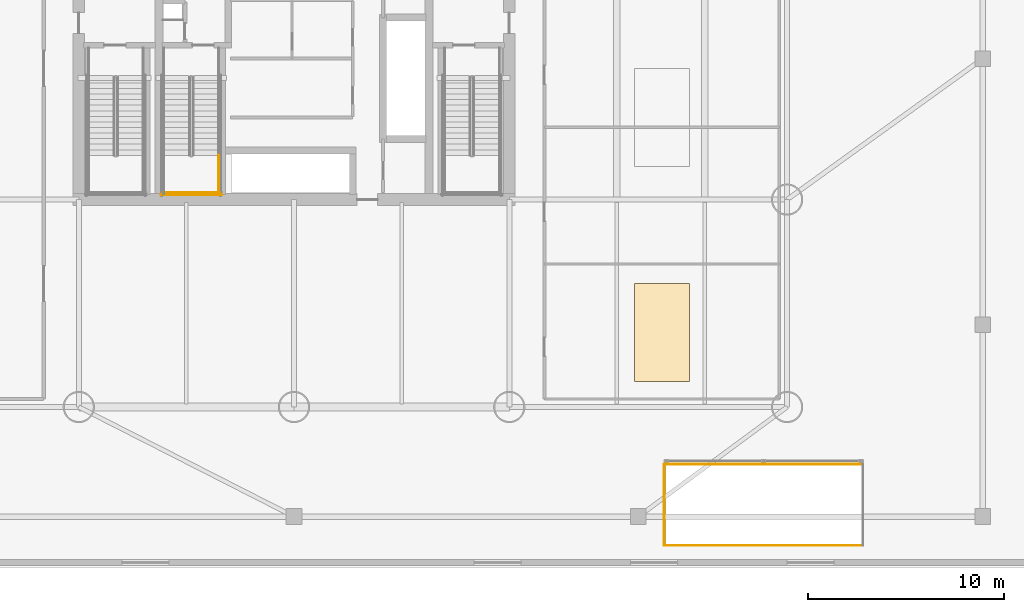
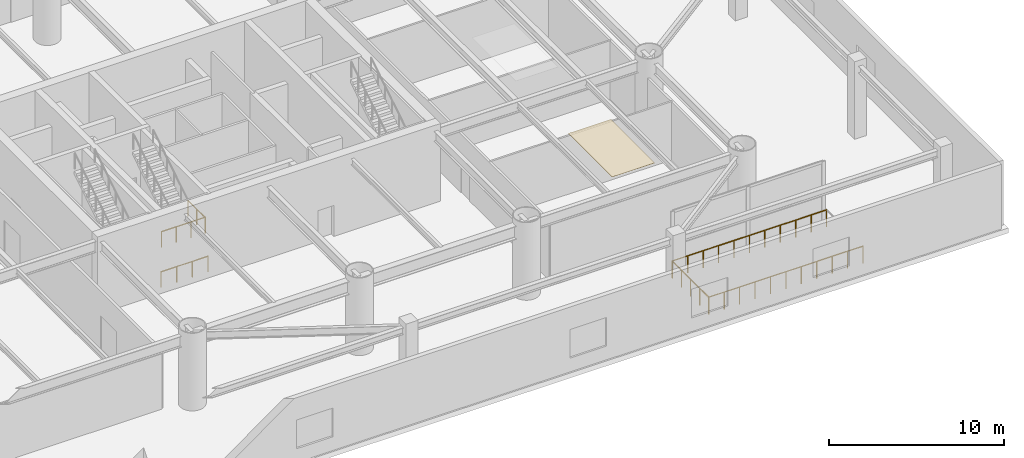
# One storey, part 12 of 16: 6 railings, 1 covering.
"""IFC4 building model written with IfcOpenShell, lengths in metres."""

from ifc_helpers import new_model, si_unit, direction, frame, origin, origin_2d, place, context, subcontext, project, spatial, polyline, circle, outline, extrude, material, layer, layer_set, type_object, element, save


model = new_model("IFC4")

# Units and contexts
model_context = context("Model", 3, precision=1e-05, world=origin(), true_north=direction((0.0, 1.0)))
body_context = subcontext(model_context, "Body", "Model", "MODEL_VIEW")
ifc_project = project(units=[si_unit("LENGTHUNIT", "METRE"), si_unit("AREAUNIT", "SQUARE_METRE"), si_unit("VOLUMEUNIT", "CUBIC_METRE"), si_unit("PLANEANGLEUNIT", "RADIAN"), si_unit("MASSUNIT", "GRAM", prefix="KILO")], contexts=[model_context])

# Site, building, storey
site_placement = place(None, origin())
site = spatial("IfcSite", under=ifc_project, at=site_placement, CompositionType="ELEMENT")
building_placement = place(site_placement, origin())
building = spatial("IfcBuilding", under=site, at=building_placement, Name="Bramvorn Convention Spire", CompositionType="ELEMENT")
storey_placement = place(building_placement, frame((0.0, 0.0, 30.0)))
storey = spatial("IfcBuildingStorey", under=building, at=storey_placement, Name="L05", CompositionType="ELEMENT", Elevation=30.0)

# Covering
ifc_material_1 = material(Name="Micro-Perforated Mineral-Fibre Acoustic Ceiling Tile", Category="gypsum")
ifc_layer = layer(ifc_material_1, 0.02001953125)
ifc_layer_set = layer_set([ifc_layer], Name="Micro-Perforated Mineral-Fibre Acoustic Ceiling Tile - CLG-ACOUSTIC-20")
covering_type = type_object("IfcCoveringType", Name="CLG-ACOUSTIC-20", PredefinedType="CEILING", material=ifc_layer_set)
covering_placement = place(storey_placement, frame((0.0, 0.0, 4.97998046875)))
element("IfcCovering", 1, at=covering_placement, inside=storey, type_object=covering_type, Name="L05 Seminar acoustic tile ceiling 1", PredefinedType="CEILING", context=body_context, shape_type="SweptSolid", body=[
    extrude(outline(polyline([(55.39990234375, 9.5), (58.199951171875, 9.5), (58.199951171875, 14.5), (55.39990234375, 14.5), (55.39990234375, 9.5)])), origin(), (0.0, 0.0, 1.0), 0.02001953125),
])

# Railings
ifc_material_2 = material(Name="Warm Bronze Perforated Metal & Glass Balustrade", Category="glass")
railing_type_1 = type_object("IfcRailingType", Name="RL-POD-BALUSTRADE-1200", PredefinedType="BALUSTRADE", material=ifc_material_2)
railing_1_placement = place(storey_placement, frame((56.919921875, 1.1201171875, 0.0)))
element("IfcRailing", 2, at=railing_1_placement, inside=storey, type_object=railing_type_1, Name="L05 SE void perimeter balustrade side 1", PredefinedType="BALUSTRADE", context=body_context, shape_type="SweptSolid", body=[
    extrude(circle(Radius=0.02392578125, at=origin_2d()), frame((0.0, 0.0, 1.17578125), z_axis=(1.0, 0.0, 0.0), x_axis=(0.0, 1.0, 0.0)), (0.0, 0.0, 1.0), 10.16015625),
    extrude(circle(Radius=0.02099609375, at=origin_2d()), origin(), (0.0, 0.0, 1.0), 1.15185546875),
    extrude(circle(Radius=0.02099609375, at=origin_2d()), frame((1.01611328125, 0.0, 0.0)), (0.0, 0.0, 1.0), 1.15185546875),
    extrude(circle(Radius=0.02099609375, at=origin_2d()), frame((2.031982421875, 0.0, 0.0)), (0.0, 0.0, 1.0), 1.15185546875),
    extrude(circle(Radius=0.02099609375, at=origin_2d()), frame((3.048095703125, 0.0, 0.0)), (0.0, 0.0, 1.0), 1.15185546875),
    extrude(circle(Radius=0.02099609375, at=origin_2d()), frame((4.06396484375, 0.0, 0.0)), (0.0, 0.0, 1.0), 1.15185546875),
    extrude(circle(Radius=0.02099609375, at=origin_2d()), frame((5.080078125, 0.0, 0.0)), (0.0, 0.0, 1.0), 1.15185546875),
    extrude(circle(Radius=0.02099609375, at=origin_2d()), frame((6.09619140625, 0.0, 0.0)), (0.0, 0.0, 1.0), 1.15185546875),
    extrude(circle(Radius=0.02099609375, at=origin_2d()), frame((7.112060546875, 0.0, 0.0)), (0.0, 0.0, 1.0), 1.15185546875),
    extrude(circle(Radius=0.02099609375, at=origin_2d()), frame((8.128173828125, 0.0, 0.0)), (0.0, 0.0, 1.0), 1.15185546875),
    extrude(circle(Radius=0.02099609375, at=origin_2d()), frame((9.14404296875, 0.0, 0.0)), (0.0, 0.0, 1.0), 1.15185546875),
    extrude(circle(Radius=0.02099609375, at=origin_2d()), frame((10.16015625, 0.0, 0.0)), (0.0, 0.0, 1.0), 1.15185546875),
])
railing_2_placement = place(storey_placement, frame((67.080078125, 5.280029296875, 0.0)))
element("IfcRailing", 3, at=railing_2_placement, inside=storey, type_object=railing_type_1, Name="L05 SE void perimeter balustrade side 3", PredefinedType="BALUSTRADE", context=body_context, shape_type="SweptSolid", body=[
    extrude(circle(Radius=0.02392578125, at=origin_2d()), frame((0.0, 0.0, 1.17578125), z_axis=(-1.0, 0.0, 0.0), x_axis=(0.0, -1.0, 0.0)), (0.0, 0.0, 1.0), 10.16015625),
    extrude(circle(Radius=0.02099609375, at=origin_2d()), origin(), (0.0, 0.0, 1.0), 1.15185546875),
    extrude(circle(Radius=0.02099609375, at=origin_2d()), frame((-1.01611328125, 0.0, 0.0)), (0.0, 0.0, 1.0), 1.15185546875),
    extrude(circle(Radius=0.02099609375, at=origin_2d()), frame((-2.031982421875, 0.0, 0.0)), (0.0, 0.0, 1.0), 1.15185546875),
    extrude(circle(Radius=0.02099609375, at=origin_2d()), frame((-3.048095703125, 0.0, 0.0)), (0.0, 0.0, 1.0), 1.15185546875),
    extrude(circle(Radius=0.02099609375, at=origin_2d()), frame((-4.06396484375, 0.0, 0.0)), (0.0, 0.0, 1.0), 1.15185546875),
    extrude(circle(Radius=0.02099609375, at=origin_2d()), frame((-5.080078125, 0.0, 0.0)), (0.0, 0.0, 1.0), 1.15185546875),
    extrude(circle(Radius=0.02099609375, at=origin_2d()), frame((-6.09619140625, 0.0, 0.0)), (0.0, 0.0, 1.0), 1.15185546875),
    extrude(circle(Radius=0.02099609375, at=origin_2d()), frame((-7.112060546875, 0.0, 0.0)), (0.0, 0.0, 1.0), 1.15185546875),
    extrude(circle(Radius=0.02099609375, at=origin_2d()), frame((-8.128173828125, 0.0, 0.0)), (0.0, 0.0, 1.0), 1.15185546875),
    extrude(circle(Radius=0.02099609375, at=origin_2d()), frame((-9.14404296875, 0.0, 0.0)), (0.0, 0.0, 1.0), 1.15185546875),
    extrude(circle(Radius=0.02099609375, at=origin_2d()), frame((-10.16015625, 0.0, 0.0)), (0.0, 0.0, 1.0), 1.15185546875),
])
railing_3_placement = place(storey_placement, frame((56.919921875, 5.280029296875, 0.0)))
element("IfcRailing", 4, at=railing_3_placement, inside=storey, type_object=railing_type_1, Name="L05 SE void perimeter balustrade side 4", PredefinedType="BALUSTRADE", context=body_context, shape_type="SweptSolid", body=[
    extrude(circle(Radius=0.02392578125, at=origin_2d()), frame((0.0, 0.0, 1.17578125), z_axis=(0.0, -1.0, 0.0), x_axis=(1.0, 0.0, 0.0)), (0.0, 0.0, 1.0), 4.159912109375),
    extrude(circle(Radius=0.02099609375, at=origin_2d()), origin(), (0.0, 0.0, 1.0), 1.15185546875),
    extrude(circle(Radius=0.02099609375, at=origin_2d()), frame((0.0, -1.0400390625, 0.0)), (0.0, 0.0, 1.0), 1.15185546875),
    extrude(circle(Radius=0.02099609375, at=origin_2d()), frame((0.0, -2.080078125, 0.0)), (0.0, 0.0, 1.0), 1.15185546875),
    extrude(circle(Radius=0.02099609375, at=origin_2d()), frame((0.0, -3.119873046875, 0.0)), (0.0, 0.0, 1.0), 1.15185546875),
    extrude(circle(Radius=0.02099609375, at=origin_2d()), frame((0.0, -4.159912109375, 0.0)), (0.0, 0.0, 1.0), 1.15185546875),
])
ifc_material_3 = material(Name="Painted Steel Balustrade & Guardrail", Category="steel")
railing_type_2 = type_object("IfcRailingType", Name="RL-STAIR-GUARD-1100", PredefinedType="GUARDRAIL", material=ifc_material_3)
railing_4_placement = place(storey_placement, frame((34.14990234375, 21.06005859375, 2.699951171875)))
element("IfcRailing", 5, at=railing_4_placement, inside=storey, type_object=railing_type_2, Name="L05 ST3 stair guard 4", PredefinedType="GUARDRAIL", context=body_context, shape_type="SweptSolid", body=[
    extrude(circle(Radius=0.02392578125, at=origin_2d()), frame((0.0, 0.0, 1.076171875), z_axis=(0.0, -1.0, 0.0), x_axis=(1.0, 0.0, 0.0)), (0.0, 0.0, 1.0), 1.9599609375),
    extrude(circle(Radius=0.02099609375, at=origin_2d()), origin(), (0.0, 0.0, 1.0), 1.052001953125),
    extrude(circle(Radius=0.02099609375, at=origin_2d()), frame((0.0, -0.97998046875, 0.0)), (0.0, 0.0, 1.0), 1.052001953125),
    extrude(circle(Radius=0.02099609375, at=origin_2d()), frame((0.0, -1.9599609375, 0.0)), (0.0, 0.0, 1.0), 1.052001953125),
])
railing_5_placement = place(storey_placement, frame((31.300048828125, 19.14990234375, 2.699951171875)))
element("IfcRailing", 6, at=railing_5_placement, inside=storey, type_object=railing_type_2, Name="L05 ST3 stair guard 5", PredefinedType="GUARDRAIL", context=body_context, shape_type="SweptSolid", body=[
    extrude(circle(Radius=0.02392578125, at=origin_2d()), frame((0.0, 0.0, 1.076171875), z_axis=(1.0, 0.0, 0.0), x_axis=(0.0, 1.0, 0.0)), (0.0, 0.0, 1.0), 2.89990234375),
    extrude(circle(Radius=0.02099609375, at=origin_2d()), origin(), (0.0, 0.0, 1.0), 1.052001953125),
    extrude(circle(Radius=0.02099609375, at=origin_2d()), frame((0.966552734375, 0.0, 0.0)), (0.0, 0.0, 1.0), 1.052001953125),
    extrude(circle(Radius=0.02099609375, at=origin_2d()), frame((1.933349609375, 0.0, 0.0)), (0.0, 0.0, 1.0), 1.052001953125),
    extrude(circle(Radius=0.02099609375, at=origin_2d()), frame((2.89990234375, 0.0, 0.0)), (0.0, 0.0, 1.0), 1.052001953125),
])
railing_6_placement = place(storey_placement, frame((31.199951171875, 19.050048828125, 0.0)))
element("IfcRailing", 7, at=railing_6_placement, inside=storey, type_object=railing_type_2, Name="L05 ST3 stair guard 12", PredefinedType="GUARDRAIL", context=body_context, shape_type="SweptSolid", body=[
    extrude(circle(Radius=0.02392578125, at=origin_2d()), frame((0.0, 0.0, 1.076171875), z_axis=(1.0, 0.0, 0.0), x_axis=(0.0, 1.0, 0.0)), (0.0, 0.0, 1.0), 3.10009765625),
    extrude(circle(Radius=0.02099609375, at=origin_2d()), origin(), (0.0, 0.0, 1.0), 1.052001953125),
    extrude(circle(Radius=0.02099609375, at=origin_2d()), frame((1.033447265625, 0.0, 0.0)), (0.0, 0.0, 1.0), 1.052001953125),
    extrude(circle(Radius=0.02099609375, at=origin_2d()), frame((2.066650390625, 0.0, 0.0)), (0.0, 0.0, 1.0), 1.052001953125),
    extrude(circle(Radius=0.02099609375, at=origin_2d()), frame((3.10009765625, 0.0, 0.0)), (0.0, 0.0, 1.0), 1.052001953125),
])

save(model, "model.ifc")
